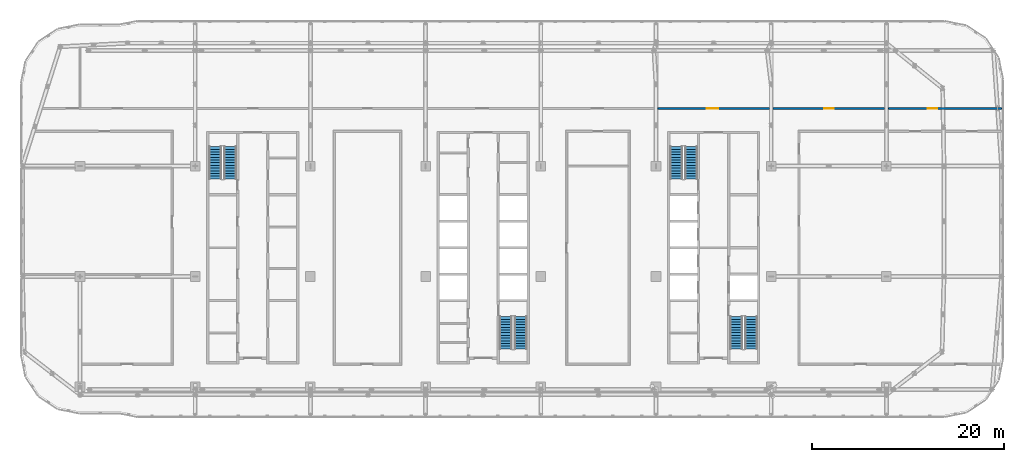
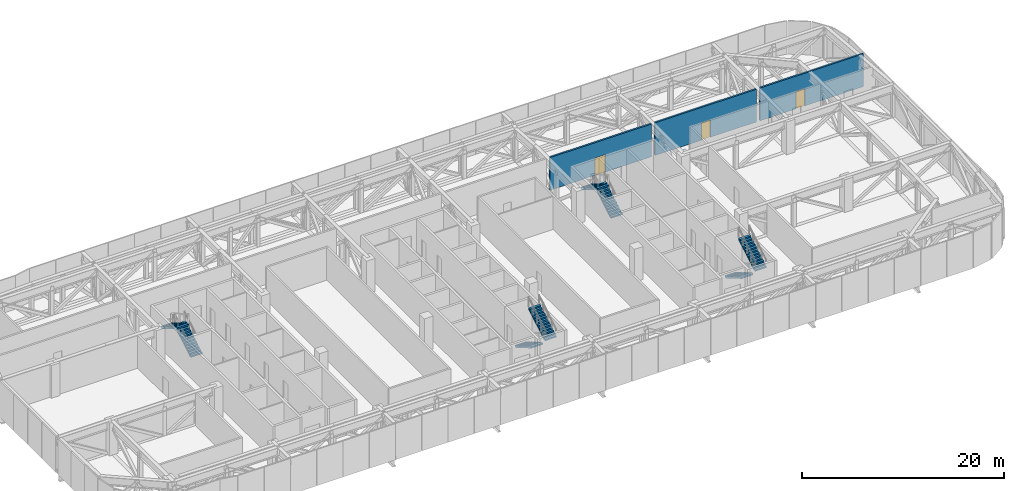
# One storey, part 16 of 29: 8 stair flights, 3 doors, 3 walls, 3 openings, 4 elements without a shape of their own.
"""IFC4 building model written with IfcOpenShell, lengths in metres."""

from ifc_helpers import new_model, si_unit, direction, frame, frame_2d, origin, place, context, subcontext, project, spatial, polyline, rectangle, outline, extrude, material, layer, layer_set, type_object, element, fill, aggregate, save


model = new_model("IFC4")

# Units and contexts
model_context = context("Model", 3, precision=1e-05, world=origin(), true_north=direction((0.0, 1.0)))
body_context = subcontext(model_context, "Body", "Model", "MODEL_VIEW")
ifc_project = project(units=[si_unit("LENGTHUNIT", "METRE"), si_unit("AREAUNIT", "SQUARE_METRE"), si_unit("VOLUMEUNIT", "CUBIC_METRE"), si_unit("PLANEANGLEUNIT", "RADIAN"), si_unit("MASSUNIT", "GRAM", prefix="KILO")], contexts=[model_context])

# Site, building, storey
site_placement = place(None, origin())
site = spatial("IfcSite", under=ifc_project, at=site_placement, CompositionType="ELEMENT")
building_placement = place(site_placement, origin())
building = spatial("IfcBuilding", under=site, at=building_placement, Name="Mahtab Terrace Research Tower", CompositionType="ELEMENT")
storey_placement = place(building_placement, frame((0.0, 0.0, 259.0)))
storey = spatial("IfcBuildingStorey", under=building, at=storey_placement, Name="L63", CompositionType="ELEMENT", Elevation=259.0)

# Wall, opening, door
ifc_material_1 = material(Name="Gypsum board corridor wall on steel studs", Category="steel")
ifc_layer = layer(ifc_material_1, 0.199951171875)
ifc_layer_set = layer_set([ifc_layer], Name="WALL CORRIDOR 200")
wall_type = type_object("IfcWallType", Name="WALL CORRIDOR 200", PredefinedType="PARTITIONING", material=ifc_layer_set)
wall_1_placement = place(storey_placement, frame((18.199951171875, 17.5, 0.0), z_axis=(0.0, 0.0, 1.0), x_axis=(1.0, 0.0, 0.0)))
wall_1 = element("IfcWall", 1, at=wall_1_placement, inside=storey, type_object=wall_type, Name="L63-W022", PredefinedType="PARTITIONING", context=body_context, shape_type="SweptSolid", body=[
    extrude(rectangle(XDim=11.60009765625, YDim=0.199951171875, at=frame_2d((5.800048828125, 0.0))), origin(), (0.0, 0.0, 1.0), 3.9599609375),
])
opening_1_placement = place(wall_1_placement, frame((5.10009765625, 0.0, 0.0)))
opening_1 = element("IfcOpeningElement", 2, at=opening_1_placement, cuts=wall_1, Name="Opening L63-119", PredefinedType="OPENING", context=body_context, shape_type="SweptSolid", body=[
    extrude(rectangle(XDim=1.199951171875, YDim=2.10009765625, at=frame_2d((0.60009765625, 1.050048828125))), frame((0.0, 0.10986328125, 0.0), z_axis=(0.0, -1.0, 0.0), x_axis=(1.0, 0.0, 0.0)), (0.0, 0.0, 1.0), 0.219970703125),
])
ifc_material_2 = material(Name="Timber door leaf in steel frame", Category="steel")
door_type_1 = type_object("IfcDoorType", Name="DOOR 1200X2100 FD30S", OperationType="SINGLE_SWING_LEFT", PredefinedType="DOOR", material=ifc_material_2)
door_1_placement = place(opening_1_placement, origin())
door_1 = element("IfcDoor", 3, at=door_1_placement, inside=storey, type_object=door_type_1, Name="Door L63-119", OperationType="SINGLE_SWING_LEFT", OverallHeight=2.10009765625, OverallWidth=1.199951171875, PredefinedType="DOOR", context=body_context, shape_type="SweptSolid", body=[
    extrude(rectangle(XDim=1.199951171875, YDim=2.10009765625, at=frame_2d((0.60009765625, 1.050048828125))), frame((0.0, 0.02490234375, 0.0), z_axis=(0.0, -1.0, 0.0), x_axis=(1.0, 0.0, 0.0)), (0.0, 0.0, 1.0), 0.050048828125),
])
fill(opening_1, door_1)

wall_2_placement = place(storey_placement, frame((30.199951171875, 17.5, 0.0), z_axis=(0.0, 0.0, 1.0), x_axis=(1.0, 0.0, 0.0)))
wall_2 = element("IfcWall", 4, at=wall_2_placement, inside=storey, type_object=wall_type, Name="L63-W023", PredefinedType="PARTITIONING", context=body_context, shape_type="SweptSolid", body=[
    extrude(rectangle(XDim=11.60009765625, YDim=0.199951171875, at=frame_2d((5.800048828125, 0.0))), origin(), (0.0, 0.0, 1.0), 3.9599609375),
])
opening_2_placement = place(wall_2_placement, frame((5.300048828125, 0.0, 0.0)))
opening_2 = element("IfcOpeningElement", 5, at=opening_2_placement, cuts=wall_2, Name="Opening L63-120", PredefinedType="OPENING", context=body_context, shape_type="SweptSolid", body=[
    extrude(rectangle(XDim=1.0, YDim=2.10009765625, at=frame_2d((0.5, 1.050048828125))), frame((0.0, 0.10986328125, 0.0), z_axis=(0.0, -1.0, 0.0), x_axis=(1.0, 0.0, 0.0)), (0.0, 0.0, 1.0), 0.219970703125),
])
door_type_2 = type_object("IfcDoorType", Name="DOOR 1000X2100 FD30S", OperationType="SINGLE_SWING_LEFT", PredefinedType="DOOR", material=ifc_material_2)
door_2_placement = place(opening_2_placement, origin())
door_2 = element("IfcDoor", 6, at=door_2_placement, inside=storey, type_object=door_type_2, Name="Door L63-120", OperationType="SINGLE_SWING_RIGHT", OverallHeight=2.10009765625, OverallWidth=1.0, PredefinedType="DOOR", context=body_context, shape_type="SweptSolid", body=[
    extrude(rectangle(XDim=1.0, YDim=2.10009765625, at=frame_2d((0.5, 1.050048828125))), frame((0.0, 0.02490234375, 0.0), z_axis=(0.0, -1.0, 0.0), x_axis=(1.0, 0.0, 0.0)), (0.0, 0.0, 1.0), 0.050048828125),
])
fill(opening_2, door_2)

wall_3_placement = place(storey_placement, frame((42.199951171875, 17.5, 0.0), z_axis=(0.0, 0.0, 1.0), x_axis=(1.0, 0.0, 0.0)))
wall_3 = element("IfcWall", 7, at=wall_3_placement, inside=storey, type_object=wall_type, Name="L63-W024", PredefinedType="PARTITIONING", context=body_context, shape_type="SweptSolid", body=[
    extrude(rectangle(XDim=11.800048828125, YDim=0.199951171875, at=frame_2d((5.89990234375, 0.0))), origin(), (0.0, 0.0, 1.0), 3.9599609375),
])
opening_3_placement = place(wall_3_placement, frame((4.10009765625, 0.0, 0.0)))
opening_3 = element("IfcOpeningElement", 8, at=opening_3_placement, cuts=wall_3, Name="Opening L63-121", PredefinedType="OPENING", context=body_context, shape_type="SweptSolid", body=[
    extrude(rectangle(XDim=1.0, YDim=2.10009765625, at=frame_2d((0.5, 1.050048828125))), frame((0.0, 0.10986328125, 0.0), z_axis=(0.0, -1.0, 0.0), x_axis=(1.0, 0.0, 0.0)), (0.0, 0.0, 1.0), 0.219970703125),
])
door_3_placement = place(opening_3_placement, origin())
door_3 = element("IfcDoor", 9, at=door_3_placement, inside=storey, type_object=door_type_2, Name="Door L63-121", OperationType="SINGLE_SWING_LEFT", OverallHeight=2.10009765625, OverallWidth=1.0, PredefinedType="DOOR", context=body_context, shape_type="SweptSolid", body=[
    extrude(rectangle(XDim=1.0, YDim=2.10009765625, at=frame_2d((0.5, 1.050048828125))), frame((0.0, 0.02490234375, 0.0), z_axis=(0.0, -1.0, 0.0), x_axis=(1.0, 0.0, 0.0)), (0.0, 0.0, 1.0), 0.050048828125),
])
fill(opening_3, door_3)

# Stair, stair flights
ifc_material_3 = material(Name="Exit stair half-turn")
stair_type = type_object("IfcStairType", Name="Exit stair half-turn", PredefinedType="HALF_TURN_STAIR", material=ifc_material_3)
stair_1_placement = place(storey_placement, origin())
stair_1 = element("IfcStair", 10, at=stair_1_placement, inside=storey, type_object=stair_type, Name="L63 Protected exit stair ST1", PredefinedType="HALF_TURN_STAIR")
ifc_material_4 = material(Name="Concrete C40/50", Category="concrete")
stair_flight_type = type_object("IfcStairFlightType", Name="Exit stair flight 1300", PredefinedType="STRAIGHT", material=ifc_material_4)
stair_flight_1_placement = place(storey_placement, frame((-26.35009765625, 10.175048828125, 0.0), z_axis=(0.0, 0.0, 1.0), x_axis=(0.0, 1.0, 0.0)))
stair_flight_1 = element("IfcStairFlight", 11, at=stair_flight_1_placement, type_object=stair_flight_type, Name="ST1 flight 1", NumberOfRisers=13, NumberOfTreads=12, PredefinedType="STRAIGHT", RiserHeight=0.165384615, TreadLength=0.28, context=body_context, shape_type="SweptSolid", body=[
    extrude(outline(polyline([(0.0, 0.0), (0.0, 0.165283203125), (0.280029296875, 0.165283203125), (0.280029296875, 0.330810546875), (0.56005859375, 0.330810546875), (0.56005859375, 0.49609375), (0.840087890625, 0.49609375), (0.840087890625, 0.66162109375), (1.1201171875, 0.66162109375), (1.1201171875, 0.826904296875), (1.39990234375, 0.826904296875), (1.39990234375, 0.9921875), (1.679931640625, 0.9921875), (1.679931640625, 1.15771484375), (1.9599609375, 1.15771484375), (1.9599609375, 1.322998046875), (2.239990234375, 1.322998046875), (2.239990234375, 1.488525390625), (2.52001953125, 1.488525390625), (2.52001953125, 1.65380859375), (2.800048828125, 1.65380859375), (2.800048828125, 1.8193359375), (3.080078125, 1.8193359375), (3.080078125, 1.984619140625), (3.360107421875, 1.984619140625), (3.360107421875, 2.14990234375), (3.360107421875, 1.810546875), (0.294677734375, 0.0), (0.0, 0.0)])), frame((0.0, 0.64990234375, 0.0), z_axis=(0.0, -1.0, 0.0), x_axis=(1.0, 0.0, 0.0)), (0.0, 0.0, 1.0), 1.300048828125),
])
stair_flight_2_placement = place(storey_placement, frame((-27.89990234375, 13.534912109375, 2.14990234375), z_axis=(0.0, 0.0, 1.0), x_axis=(0.0, -1.0, 0.0)))
stair_flight_2 = element("IfcStairFlight", 12, at=stair_flight_2_placement, type_object=stair_flight_type, Name="ST1 flight 2", NumberOfRisers=13, NumberOfTreads=12, PredefinedType="STRAIGHT", RiserHeight=0.165384615, TreadLength=0.28, context=body_context, shape_type="SweptSolid", body=[
    extrude(outline(polyline([(0.0, 0.0), (0.0, 0.165283203125), (0.280029296875, 0.165283203125), (0.280029296875, 0.330810546875), (0.56005859375, 0.330810546875), (0.56005859375, 0.49609375), (0.840087890625, 0.49609375), (0.840087890625, 0.66162109375), (1.1201171875, 0.66162109375), (1.1201171875, 0.826904296875), (1.39990234375, 0.826904296875), (1.39990234375, 0.9921875), (1.679931640625, 0.9921875), (1.679931640625, 1.15771484375), (1.9599609375, 1.15771484375), (1.9599609375, 1.322998046875), (2.239990234375, 1.322998046875), (2.239990234375, 1.488525390625), (2.52001953125, 1.488525390625), (2.52001953125, 1.65380859375), (2.800048828125, 1.65380859375), (2.800048828125, 1.8193359375), (3.080078125, 1.8193359375), (3.080078125, 1.984619140625), (3.360107421875, 1.984619140625), (3.360107421875, 2.14990234375), (3.360107421875, 1.810546875), (0.294677734375, 0.0), (0.0, 0.0)])), frame((0.0, 0.64990234375, 0.0), z_axis=(0.0, -1.0, 0.0), x_axis=(1.0, 0.0, 0.0)), (0.0, 0.0, 1.0), 1.300048828125),
])
aggregate(stair_1, [stair_flight_1, stair_flight_2])

stair_2_placement = place(storey_placement, origin())
stair_2 = element("IfcStair", 13, at=stair_2_placement, inside=storey, type_object=stair_type, Name="L63 Protected exit stair ST2", PredefinedType="HALF_TURN_STAIR")
stair_flight_3_placement = place(storey_placement, frame((2.35009765625, -4.175048828125, 0.0), z_axis=(0.0, 0.0, 1.0), x_axis=(0.0, -1.0, 0.0)))
stair_flight_3 = element("IfcStairFlight", 14, at=stair_flight_3_placement, type_object=stair_flight_type, Name="ST2 flight 1", NumberOfRisers=13, NumberOfTreads=12, PredefinedType="STRAIGHT", RiserHeight=0.165384615, TreadLength=0.28, context=body_context, shape_type="SweptSolid", body=[
    extrude(outline(polyline([(0.0, 0.0), (0.0, 0.165283203125), (0.280029296875, 0.165283203125), (0.280029296875, 0.330810546875), (0.56005859375, 0.330810546875), (0.56005859375, 0.49609375), (0.840087890625, 0.49609375), (0.840087890625, 0.66162109375), (1.1201171875, 0.66162109375), (1.1201171875, 0.826904296875), (1.39990234375, 0.826904296875), (1.39990234375, 0.9921875), (1.679931640625, 0.9921875), (1.679931640625, 1.15771484375), (1.9599609375, 1.15771484375), (1.9599609375, 1.322998046875), (2.239990234375, 1.322998046875), (2.239990234375, 1.488525390625), (2.52001953125, 1.488525390625), (2.52001953125, 1.65380859375), (2.800048828125, 1.65380859375), (2.800048828125, 1.8193359375), (3.080078125, 1.8193359375), (3.080078125, 1.984619140625), (3.360107421875, 1.984619140625), (3.360107421875, 2.14990234375), (3.360107421875, 1.810546875), (0.294677734375, 0.0), (0.0, 0.0)])), frame((0.0, 0.64990234375, 0.0), z_axis=(0.0, -1.0, 0.0), x_axis=(1.0, 0.0, 0.0)), (0.0, 0.0, 1.0), 1.300048828125),
])
stair_flight_4_placement = place(storey_placement, frame((3.89990234375, -7.534912109375, 2.14990234375), z_axis=(0.0, 0.0, 1.0), x_axis=(0.0, 1.0, 0.0)))
stair_flight_4 = element("IfcStairFlight", 15, at=stair_flight_4_placement, type_object=stair_flight_type, Name="ST2 flight 2", NumberOfRisers=13, NumberOfTreads=12, PredefinedType="STRAIGHT", RiserHeight=0.165384615, TreadLength=0.28, context=body_context, shape_type="SweptSolid", body=[
    extrude(outline(polyline([(0.0, 0.0), (0.0, 0.165283203125), (0.280029296875, 0.165283203125), (0.280029296875, 0.330810546875), (0.56005859375, 0.330810546875), (0.56005859375, 0.49609375), (0.840087890625, 0.49609375), (0.840087890625, 0.66162109375), (1.1201171875, 0.66162109375), (1.1201171875, 0.826904296875), (1.39990234375, 0.826904296875), (1.39990234375, 0.9921875), (1.679931640625, 0.9921875), (1.679931640625, 1.15771484375), (1.9599609375, 1.15771484375), (1.9599609375, 1.322998046875), (2.239990234375, 1.322998046875), (2.239990234375, 1.488525390625), (2.52001953125, 1.488525390625), (2.52001953125, 1.65380859375), (2.800048828125, 1.65380859375), (2.800048828125, 1.8193359375), (3.080078125, 1.8193359375), (3.080078125, 1.984619140625), (3.360107421875, 1.984619140625), (3.360107421875, 2.14990234375), (3.360107421875, 1.810546875), (0.294677734375, 0.0), (0.0, 0.0)])), frame((0.0, 0.64990234375, 0.0), z_axis=(0.0, -1.0, 0.0), x_axis=(1.0, 0.0, 0.0)), (0.0, 0.0, 1.0), 1.300048828125),
])
aggregate(stair_2, [stair_flight_3, stair_flight_4])

stair_3_placement = place(storey_placement, origin())
stair_3 = element("IfcStair", 16, at=stair_3_placement, inside=storey, type_object=stair_type, Name="L63 Protected exit stair ST3", PredefinedType="HALF_TURN_STAIR")
stair_flight_5_placement = place(storey_placement, frame((21.64990234375, 10.175048828125, 0.0), z_axis=(0.0, 0.0, 1.0), x_axis=(0.0, 1.0, 0.0)))
stair_flight_5 = element("IfcStairFlight", 17, at=stair_flight_5_placement, type_object=stair_flight_type, Name="ST3 flight 1", NumberOfRisers=13, NumberOfTreads=12, PredefinedType="STRAIGHT", RiserHeight=0.165384615, TreadLength=0.28, context=body_context, shape_type="SweptSolid", body=[
    extrude(outline(polyline([(0.0, 0.0), (0.0, 0.165283203125), (0.280029296875, 0.165283203125), (0.280029296875, 0.330810546875), (0.56005859375, 0.330810546875), (0.56005859375, 0.49609375), (0.840087890625, 0.49609375), (0.840087890625, 0.66162109375), (1.1201171875, 0.66162109375), (1.1201171875, 0.826904296875), (1.39990234375, 0.826904296875), (1.39990234375, 0.9921875), (1.679931640625, 0.9921875), (1.679931640625, 1.15771484375), (1.9599609375, 1.15771484375), (1.9599609375, 1.322998046875), (2.239990234375, 1.322998046875), (2.239990234375, 1.488525390625), (2.52001953125, 1.488525390625), (2.52001953125, 1.65380859375), (2.800048828125, 1.65380859375), (2.800048828125, 1.8193359375), (3.080078125, 1.8193359375), (3.080078125, 1.984619140625), (3.360107421875, 1.984619140625), (3.360107421875, 2.14990234375), (3.360107421875, 1.810546875), (0.294677734375, 0.0), (0.0, 0.0)])), frame((0.0, 0.64990234375, 0.0), z_axis=(0.0, -1.0, 0.0), x_axis=(1.0, 0.0, 0.0)), (0.0, 0.0, 1.0), 1.300048828125),
])
stair_flight_6_placement = place(storey_placement, frame((20.10009765625, 13.534912109375, 2.14990234375), z_axis=(0.0, 0.0, 1.0), x_axis=(0.0, -1.0, 0.0)))
stair_flight_6 = element("IfcStairFlight", 18, at=stair_flight_6_placement, type_object=stair_flight_type, Name="ST3 flight 2", NumberOfRisers=13, NumberOfTreads=12, PredefinedType="STRAIGHT", RiserHeight=0.165384615, TreadLength=0.28, context=body_context, shape_type="SweptSolid", body=[
    extrude(outline(polyline([(0.0, 0.0), (0.0, 0.165283203125), (0.280029296875, 0.165283203125), (0.280029296875, 0.330810546875), (0.56005859375, 0.330810546875), (0.56005859375, 0.49609375), (0.840087890625, 0.49609375), (0.840087890625, 0.66162109375), (1.1201171875, 0.66162109375), (1.1201171875, 0.826904296875), (1.39990234375, 0.826904296875), (1.39990234375, 0.9921875), (1.679931640625, 0.9921875), (1.679931640625, 1.15771484375), (1.9599609375, 1.15771484375), (1.9599609375, 1.322998046875), (2.239990234375, 1.322998046875), (2.239990234375, 1.488525390625), (2.52001953125, 1.488525390625), (2.52001953125, 1.65380859375), (2.800048828125, 1.65380859375), (2.800048828125, 1.8193359375), (3.080078125, 1.8193359375), (3.080078125, 1.984619140625), (3.360107421875, 1.984619140625), (3.360107421875, 2.14990234375), (3.360107421875, 1.810546875), (0.294677734375, 0.0), (0.0, 0.0)])), frame((0.0, 0.64990234375, 0.0), z_axis=(0.0, -1.0, 0.0), x_axis=(1.0, 0.0, 0.0)), (0.0, 0.0, 1.0), 1.300048828125),
])
aggregate(stair_3, [stair_flight_5, stair_flight_6])

stair_4_placement = place(storey_placement, origin())
stair_4 = element("IfcStair", 19, at=stair_4_placement, inside=storey, type_object=stair_type, Name="L63 Protected exit stair ST4", PredefinedType="HALF_TURN_STAIR")
stair_flight_7_placement = place(storey_placement, frame((26.35009765625, -4.175048828125, 0.0), z_axis=(0.0, 0.0, 1.0), x_axis=(0.0, -1.0, 0.0)))
stair_flight_7 = element("IfcStairFlight", 20, at=stair_flight_7_placement, type_object=stair_flight_type, Name="ST4 flight 1", NumberOfRisers=13, NumberOfTreads=12, PredefinedType="STRAIGHT", RiserHeight=0.165384615, TreadLength=0.28, context=body_context, shape_type="SweptSolid", body=[
    extrude(outline(polyline([(0.0, 0.0), (0.0, 0.165283203125), (0.280029296875, 0.165283203125), (0.280029296875, 0.330810546875), (0.56005859375, 0.330810546875), (0.56005859375, 0.49609375), (0.840087890625, 0.49609375), (0.840087890625, 0.66162109375), (1.1201171875, 0.66162109375), (1.1201171875, 0.826904296875), (1.39990234375, 0.826904296875), (1.39990234375, 0.9921875), (1.679931640625, 0.9921875), (1.679931640625, 1.15771484375), (1.9599609375, 1.15771484375), (1.9599609375, 1.322998046875), (2.239990234375, 1.322998046875), (2.239990234375, 1.488525390625), (2.52001953125, 1.488525390625), (2.52001953125, 1.65380859375), (2.800048828125, 1.65380859375), (2.800048828125, 1.8193359375), (3.080078125, 1.8193359375), (3.080078125, 1.984619140625), (3.360107421875, 1.984619140625), (3.360107421875, 2.14990234375), (3.360107421875, 1.810546875), (0.294677734375, 0.0), (0.0, 0.0)])), frame((0.0, 0.64990234375, 0.0), z_axis=(0.0, -1.0, 0.0), x_axis=(1.0, 0.0, 0.0)), (0.0, 0.0, 1.0), 1.300048828125),
])
stair_flight_8_placement = place(storey_placement, frame((27.89990234375, -7.534912109375, 2.14990234375), z_axis=(0.0, 0.0, 1.0), x_axis=(0.0, 1.0, 0.0)))
stair_flight_8 = element("IfcStairFlight", 21, at=stair_flight_8_placement, type_object=stair_flight_type, Name="ST4 flight 2", NumberOfRisers=13, NumberOfTreads=12, PredefinedType="STRAIGHT", RiserHeight=0.165384615, TreadLength=0.28, context=body_context, shape_type="SweptSolid", body=[
    extrude(outline(polyline([(0.0, 0.0), (0.0, 0.165283203125), (0.280029296875, 0.165283203125), (0.280029296875, 0.330810546875), (0.56005859375, 0.330810546875), (0.56005859375, 0.49609375), (0.840087890625, 0.49609375), (0.840087890625, 0.66162109375), (1.1201171875, 0.66162109375), (1.1201171875, 0.826904296875), (1.39990234375, 0.826904296875), (1.39990234375, 0.9921875), (1.679931640625, 0.9921875), (1.679931640625, 1.15771484375), (1.9599609375, 1.15771484375), (1.9599609375, 1.322998046875), (2.239990234375, 1.322998046875), (2.239990234375, 1.488525390625), (2.52001953125, 1.488525390625), (2.52001953125, 1.65380859375), (2.800048828125, 1.65380859375), (2.800048828125, 1.8193359375), (3.080078125, 1.8193359375), (3.080078125, 1.984619140625), (3.360107421875, 1.984619140625), (3.360107421875, 2.14990234375), (3.360107421875, 1.810546875), (0.294677734375, 0.0), (0.0, 0.0)])), frame((0.0, 0.64990234375, 0.0), z_axis=(0.0, -1.0, 0.0), x_axis=(1.0, 0.0, 0.0)), (0.0, 0.0, 1.0), 1.300048828125),
])
aggregate(stair_4, [stair_flight_7, stair_flight_8])

save(model, "model.ifc")
